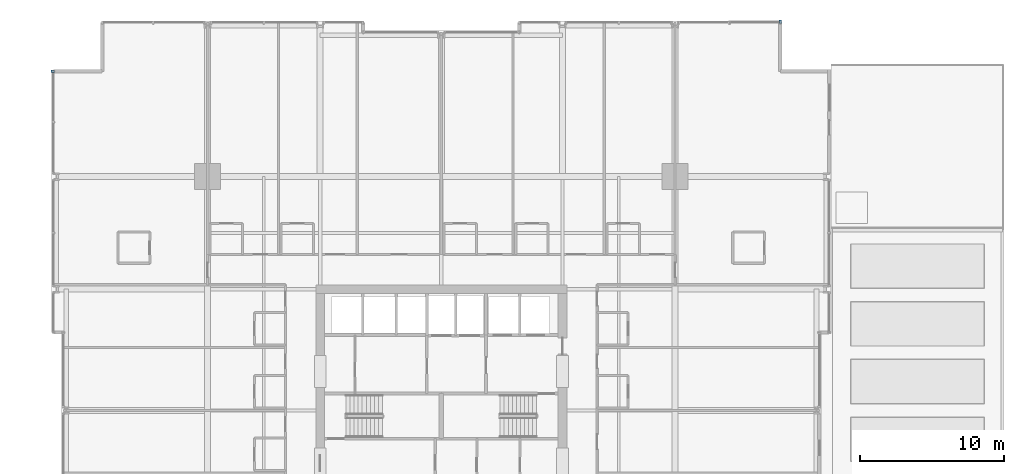
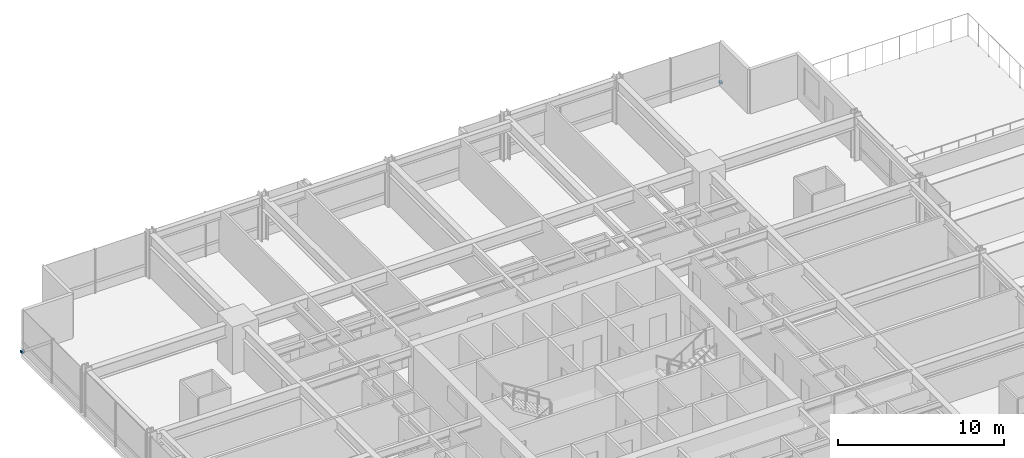
# One storey, part 37 of 42: 2 discrete accessories.
"""IFC4 building model written with IfcOpenShell, lengths in metres."""

import ifcopenshell
import ifcopenshell.guid

model = None  # the IFC model being written
_history = None  # IfcOwnerHistory: only IFC2X3 demands one
_inside = {}  # id of a spatial element -> (the spatial element, [elements in it])
_under = {}  # id of a project, library or spatial element -> (it, [spatial elements below it])
_declared = {}  # id of a project -> (the project, [libraries it declares])
_typed = {}  # id of a type object -> (the type object, [elements of that type])
_made_of = {}  # id of a material, layer set ... -> (it, [elements and type objects made of it])


def new_model(schema):
    """Start an empty IFC model of exactly this schema.

    Asked for "IFC4X3", IfcOpenShell would pick the latest addendum, in which some entities
    have other attributes; the version numbers below select the first issue.
    IFC2X3 requires an IfcOwnerHistory on every rooted entity: one is made here for all.
    """
    global model, _history
    if schema == "IFC4X3":
        model = ifcopenshell.file(schema_version=(4, 3, 0, 0))
    else:
        model = ifcopenshell.file(schema=schema)
    _inside.clear()
    _under.clear()
    _declared.clear()
    _typed.clear()
    _made_of.clear()
    _history = None
    if model.schema == "IFC2X3":
        org = make("IfcOrganization", Name="unknown")
        user = make(
            "IfcPersonAndOrganization",
            ThePerson=make("IfcPerson", FamilyName="unknown"),
            TheOrganization=org,
        )
        app = make(
            "IfcApplication",
            ApplicationDeveloper=org,
            Version="unknown",
            ApplicationFullName="unknown",
            ApplicationIdentifier="unknown",
        )
        _history = make(
            "IfcOwnerHistory",
            OwningUser=user,
            OwningApplication=app,
            ChangeAction="ADDED",
            CreationDate=0,
        )
    return model


def make(cls, **values):
    """One entity of the class cls with the attributes given. An attribute that is None is left unset."""
    return model.create_entity(
        cls, **{name: value for name, value in values.items() if value is not None}
    )


def rooted(cls, **values):
    """An entity with a GlobalId (a new one), such as an element, a storey or a relation."""
    return make(cls, GlobalId=ifcopenshell.guid.new(), OwnerHistory=_history, **values)


def si_unit(unit_type, name, prefix=None):
    """IfcSIUnit, for example si_unit("LENGTHUNIT", "METRE", prefix="MILLI")."""
    return make("IfcSIUnit", UnitType=unit_type, Prefix=prefix, Name=name)


def assignment(units):
    """IfcUnitAssignment: the units of a project."""
    return None if units is None else make("IfcUnitAssignment", Units=units)


def point(xyz):
    """IfcCartesianPoint."""
    return None if xyz is None else make("IfcCartesianPoint", Coordinates=xyz)


def direction(xyz):
    """IfcDirection."""
    return None if xyz is None else make("IfcDirection", DirectionRatios=xyz)


def frame(location, z_axis=None, x_axis=None):
    """IfcAxis2Placement3D, a coordinate frame: its origin and axes. An axis left out is left unset."""
    return make(
        "IfcAxis2Placement3D",
        Location=point(location),
        Axis=direction(z_axis),
        RefDirection=direction(x_axis),
    )


def frame_2d(location, x_axis=None):
    """IfcAxis2Placement2D, a coordinate frame in the plane: its origin and x axis."""
    return make(
        "IfcAxis2Placement2D", Location=point(location), RefDirection=direction(x_axis)
    )


def origin():
    """The frame at (0, 0, 0) with its axes left unset."""
    return frame((0.0, 0.0, 0.0))


def origin_2d():
    """The frame at (0, 0) in the plane with its x axis left unset."""
    return frame_2d((0.0, 0.0))


def place(relative_to, where):
    """IfcLocalPlacement: puts the frame where relative to a parent placement (None: the world)."""
    return make(
        "IfcLocalPlacement", PlacementRelTo=relative_to, RelativePlacement=where
    )


def context(
    kind, dimensions, precision=None, world=None, true_north=None, identifier=None
):
    """IfcGeometricRepresentationContext, for example the 3D "Model" context."""
    return make(
        "IfcGeometricRepresentationContext",
        ContextIdentifier=identifier,
        ContextType=kind,
        CoordinateSpaceDimension=dimensions,
        Precision=precision,
        WorldCoordinateSystem=world,
        TrueNorth=true_north,
    )


def subcontext(parent, identifier, kind, view, scale=None):
    """IfcGeometricRepresentationSubContext, for example "Body" below "Model"."""
    return make(
        "IfcGeometricRepresentationSubContext",
        ContextIdentifier=identifier,
        ContextType=kind,
        ParentContext=parent,
        TargetScale=scale,
        TargetView=view,
    )


def project(units=None, contexts=None):
    """IfcProject with its units and contexts."""
    return rooted(
        "IfcProject",
        Name="project",
        RepresentationContexts=contexts,
        UnitsInContext=assignment(units),
    )


def spatial(cls, under=None, at=None, **own):
    """A site, building, storey or space (cls), placed at a placement, below another one or the project."""
    s = rooted(cls, ObjectPlacement=at, **own)
    if under is not None:
        _under.setdefault(under.id(), (under, []))[1].append(s)
    return s


def profile(cls, at=None, kind="AREA", **sizes):
    """A parametric profile (cls). Its sizes go by their IFC names, for example OverallWidth=200.0."""
    return make(cls, ProfileType=kind, Position=at, **sizes)


def rectangle(**sizes):
    """IfcRectangleProfileDef."""
    return profile("IfcRectangleProfileDef", **sizes)


def extrude(swept, where, along, depth):
    """IfcExtrudedAreaSolid: the profile swept, set in the frame where, extruded along a direction by depth."""
    return make(
        "IfcExtrudedAreaSolid",
        SweptArea=swept,
        Position=where,
        ExtrudedDirection=direction(along),
        Depth=depth,
    )


def shape(context_of_items, identifier, shape_type, items):
    """IfcShapeRepresentation: the items that make up one representation, for example the "Body"."""
    return make(
        "IfcShapeRepresentation",
        ContextOfItems=context_of_items,
        RepresentationIdentifier=identifier,
        RepresentationType=shape_type,
        Items=items,
    )


def material(Name=None, Category=None):
    """IfcMaterial."""
    return make("IfcMaterial", Name=Name, Category=Category)


def made_of(thing, what):
    """Note that an element or type object is made of a material, layer set ...; save() writes the relation."""
    if what is not None:
        _made_of.setdefault(what.id(), (what, []))[1].append(thing)
    return thing


def type_object(cls, material=None, **own):
    """A type object (cls), such as IfcWallType, which elements share."""
    return made_of(rooted(cls, **own), material)


def element(
    cls,
    number,
    at=None,
    inside=None,
    cuts=None,
    type_object=None,
    material=None,
    context=None,
    identifier="Body",
    shape_type=None,
    held_by="IfcProductDefinitionShape",
    body=None,
    shapes=None,
    **own,
):
    """One element of the class cls, such as IfcWall. Its Tag is "e" and its number.

    at: its placement. inside: the storey or other place that contains it. cuts: it is an
    opening in that element (IfcRelVoidsElement). A single representation is given by context,
    identifier, shape_type and body (its items); several are given by shapes. held_by: the class
    of the entity that holds the representations. save() writes the other relations.
    """
    e = rooted(cls, Tag="e%d" % number, ObjectPlacement=at, **own)
    if body is not None:
        shapes = [shape(context, identifier, shape_type, body)]
    if shapes is not None:
        e.Representation = make(held_by, Representations=shapes)
    if inside is not None:
        _inside.setdefault(inside.id(), (inside, []))[1].append(e)
    if cuts is not None:
        rooted(
            "IfcRelVoidsElement", RelatingBuildingElement=cuts, RelatedOpeningElement=e
        )
    if type_object is not None:
        _typed.setdefault(type_object.id(), (type_object, []))[1].append(e)
    return made_of(e, material)


def aggregate(whole, parts):
    """IfcRelAggregates: a whole, such as a stair, and the parts it consists of."""
    return rooted("IfcRelAggregates", RelatingObject=whole, RelatedObjects=parts)


def save(model, path):
    """Write the relations noted so far, then the file.

    IfcRelAggregates (storeys below a building ...), IfcRelContainedInSpatialStructure (elements
    in a storey), IfcRelDefinesByType, IfcRelAssociatesMaterial and IfcRelDeclares: one each for
    every whole, place, type object, material and project.
    """
    for whole, parts in _under.values():
        aggregate(whole, parts)
    for where, things in _inside.values():
        rooted(
            "IfcRelContainedInSpatialStructure",
            RelatedElements=things,
            RelatingStructure=where,
        )
    for kind, things in _typed.values():
        rooted("IfcRelDefinesByType", RelatedObjects=things, RelatingType=kind)
    for what, things in _made_of.values():
        rooted("IfcRelAssociatesMaterial", RelatedObjects=things, RelatingMaterial=what)
    for by, libraries in _declared.values():
        rooted("IfcRelDeclares", RelatingContext=by, RelatedDefinitions=libraries)
    model.write(path)


model = new_model("IFC4")

# Units and contexts
model_context = context("Model", 3, precision=1e-05, world=origin(), true_north=direction((0.0, 1.0)))
body_context = subcontext(model_context, "Body", "Model", "MODEL_VIEW")
ifc_project = project(units=[si_unit("LENGTHUNIT", "METRE"), si_unit("AREAUNIT", "SQUARE_METRE"), si_unit("VOLUMEUNIT", "CUBIC_METRE"), si_unit("PLANEANGLEUNIT", "RADIAN"), si_unit("MASSUNIT", "GRAM", prefix="KILO")], contexts=[model_context])

# Site, building, storey
site_placement = place(None, origin())
site = spatial("IfcSite", under=ifc_project, at=site_placement, CompositionType="ELEMENT")
building_placement = place(site_placement, origin())
building = spatial("IfcBuilding", under=site, at=building_placement, Name="Drelvath Grand Hotel", CompositionType="ELEMENT")
storey_placement = place(building_placement, frame((0.0, 0.0, 33.199951171875)))
storey = spatial("IfcBuildingStorey", under=building, at=storey_placement, Name="L06", CompositionType="ELEMENT", Elevation=33.199951171875)

# Discrete accessories
ifc_material = material(Name="Stainless Steel Grade 316", Category="steel")
discrete_accessory_type = type_object("IfcDiscreteAccessoryType", Name="Curtain Wall Fin Mounting Bracket Cleat", PredefinedType="BRACKET", material=ifc_material)
for number, where, z_axis, x_axis, name in (
    (1, (-26.93994140625, 50.5, 0.10009765625), (0.0, 0.0, 1.0), (0.0, 1.0, 0.0), "L06 Fin Mounting Bracket CW02-L06-WN3-1"),
    (2, (23.5, 53.93994140625, 0.10009765625), (0.0, 0.0, 1.0), (1.0, 0.0, 0.0), "L06 Fin Mounting Bracket CW02-L06-NE3-1"),
):
    element("IfcDiscreteAccessory", number, at=place(storey_placement, frame(where, z_axis=z_axis, x_axis=x_axis)), inside=storey, type_object=discrete_accessory_type, Name=name, PredefinedType="BRACKET", context=body_context, shape_type="SweptSolid", body=[
        extrude(rectangle(XDim=0.159912109375, YDim=0.239990234375, at=origin_2d()), origin(), (0.0, 0.0, 1.0), 0.159912109375),
    ])

save(model, "model.ifc")
